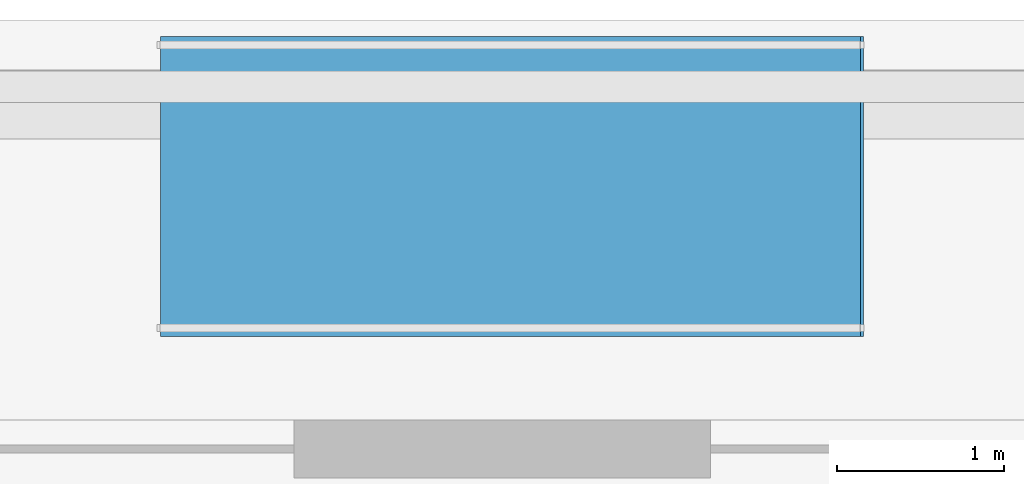
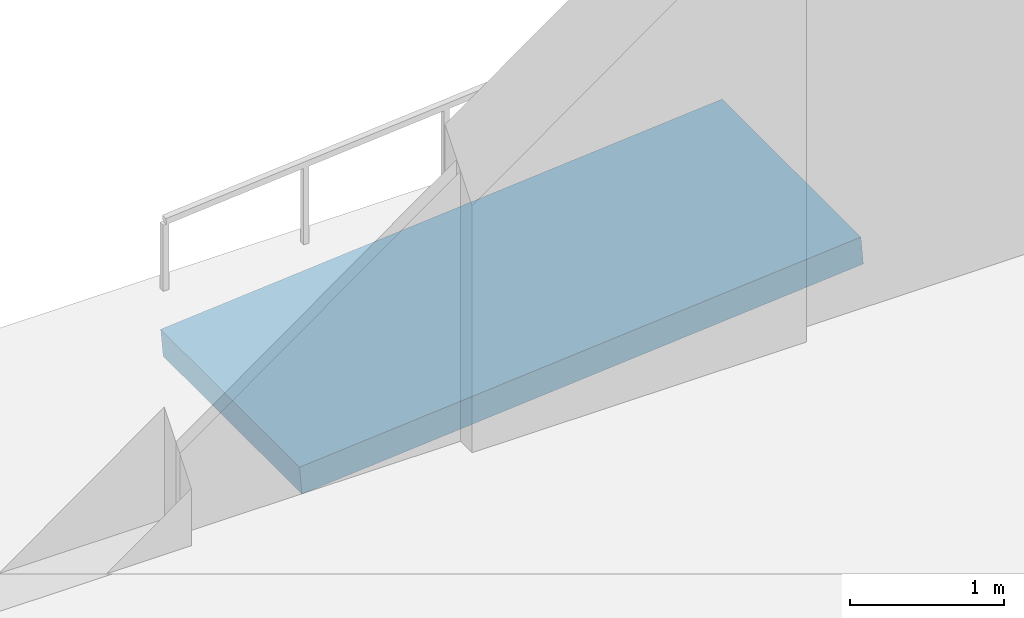
# One storey, part 16 of 26: 1 ramp flight, 1 element without a shape of its own.
"""IFC4 building model written with IfcOpenShell, lengths in metres."""

from ifc_helpers import new_model, si_unit, direction, frame, origin, place, context, subcontext, project, spatial, polyline, outline, extrude, material, layer, layer_set, type_object, element, aggregate, save


model = new_model("IFC4")

# Units and contexts
model_context = context("Model", 3, precision=1e-05, world=origin(), true_north=direction((0.0, 1.0)))
body_context = subcontext(model_context, "Body", "Model", "MODEL_VIEW")
ifc_project = project(units=[si_unit("LENGTHUNIT", "METRE"), si_unit("AREAUNIT", "SQUARE_METRE"), si_unit("VOLUMEUNIT", "CUBIC_METRE"), si_unit("PLANEANGLEUNIT", "RADIAN"), si_unit("MASSUNIT", "GRAM", prefix="KILO")], contexts=[model_context])

# Site, building, storey
site_placement = place(None, origin())
site = spatial("IfcSite", under=ifc_project, at=site_placement, CompositionType="ELEMENT")
building_placement = place(site_placement, origin())
building = spatial("IfcBuilding", under=site, at=building_placement, Name="Tashvorn Skyway Center", CompositionType="ELEMENT")
storey_placement = place(building_placement, origin())
storey = spatial("IfcBuildingStorey", under=building, at=storey_placement, Name="L00", CompositionType="ELEMENT", Elevation=0.0)

# Ramp, ramp flight
ifc_material = material(Name="Concrete C40/50", Category="concrete")
ramp_type = type_object("IfcRampType", Name="RAMP-PED-1800", PredefinedType="STRAIGHT_RUN_RAMP", material=ifc_material)
ramp_placement = place(storey_placement, origin())
ramp = element("IfcRamp", 1, at=ramp_placement, inside=storey, type_object=ramp_type, Name="L00 Accessible Entrance Ramp N2", PredefinedType="STRAIGHT_RUN_RAMP")
ifc_layer = layer(ifc_material, 0.219970703125)
ifc_layer_set = layer_set([ifc_layer], Name="Concrete C40/50")
ramp_flight_type = type_object("IfcRampFlightType", Name="RFLIGHT-PED-1800", PredefinedType="STRAIGHT", material=ifc_layer_set)
ramp_flight_placement = place(storey_placement, frame((79.5, 64.5, -0.35009765625), z_axis=(-0.083069450238, 0.0, 0.996543760423), x_axis=(0.996543760423, 0.0, 0.083069450238)))
ramp_flight = element("IfcRampFlight", 2, at=ramp_flight_placement, type_object=ramp_flight_type, Name="L00 Accessible Entrance Ramp Flight N2", PredefinedType="STRAIGHT", context=body_context, shape_type="SweptSolid", body=[
    extrude(outline(polyline([(0.0, 0.0), (4.214517554245792, 0.0), (4.214517554245792, 1.8000488281250004), (0.0, 1.8000488281250004), (0.0, 0.0)])), origin(), (0.0, 0.0, -1.0), 0.219970703125),
])
aggregate(ramp, [ramp_flight])

save(model, "model.ifc")
